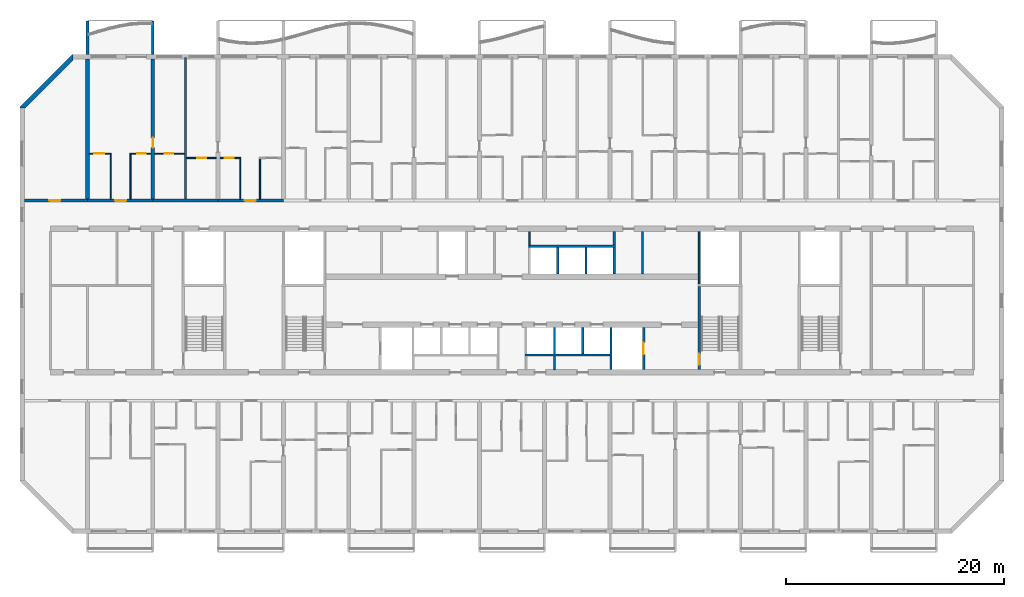
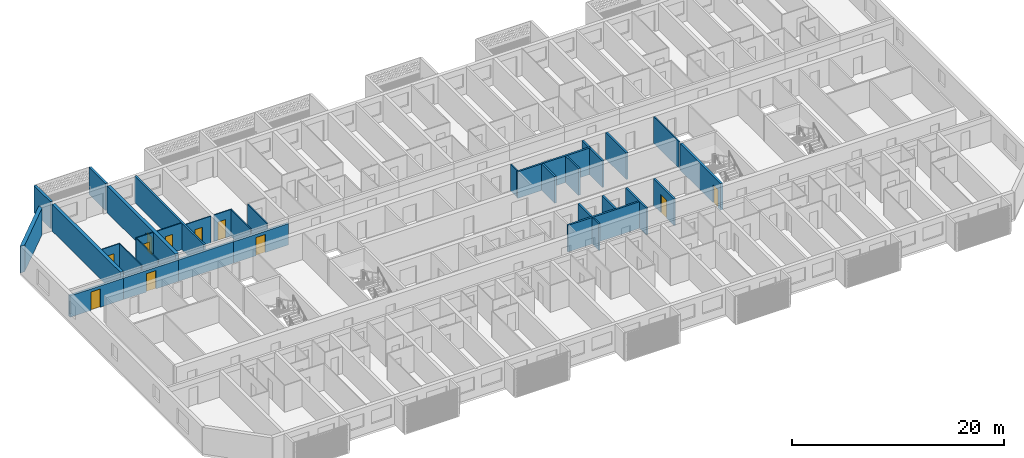
# One storey, part 9 of 25: 34 walls, 11 doors, 11 openings.
"""IFC4 building model written with IfcOpenShell, lengths in metres."""

from ifc_helpers import new_model, si_unit, direction, frame, frame_2d, origin, place, context, subcontext, project, spatial, polyline, rectangle, outline, extrude, source, transform, mapped, material, layer, layer_set, type_object, element, fill, save


model = new_model("IFC4")

# Units and contexts
model_context = context("Model", 3, precision=1e-05, world=origin(), true_north=direction((0.0, 1.0)))
body_context = subcontext(model_context, "Body", "Model", "MODEL_VIEW")
ifc_project = project(units=[si_unit("LENGTHUNIT", "METRE"), si_unit("AREAUNIT", "SQUARE_METRE"), si_unit("VOLUMEUNIT", "CUBIC_METRE"), si_unit("PLANEANGLEUNIT", "RADIAN"), si_unit("MASSUNIT", "GRAM", prefix="KILO")], contexts=[model_context])

# Site, building, storey
site_placement = place(None, origin())
site = spatial("IfcSite", under=ifc_project, at=site_placement, CompositionType="ELEMENT")
building_placement = place(site_placement, origin())
building = spatial("IfcBuilding", under=site, at=building_placement, Name="Poui Terraces", CompositionType="ELEMENT")
storey_placement = place(building_placement, frame((0.0, 0.0, 89.39990234375)))
storey = spatial("IfcBuildingStorey", under=building, at=storey_placement, Name="L24", CompositionType="ELEMENT", Elevation=89.39990234375)

# Wall
ifc_material_1 = material(Name="Fire-rated plasterboard wall")
ifc_layer_1 = layer(ifc_material_1, 0.14990234375)
ifc_layer_set_1 = layer_set([ifc_layer_1], Name="Fire-rated plasterboard wall")
wall_type_1 = type_object("IfcWallType", Name="CORRIDOR WALL 150", PredefinedType="PARTITIONING", material=ifc_layer_set_1)
wall_1_placement = place(storey_placement, frame((52.60009765625, 26.300048828125, 0.0), z_axis=(0.0, 0.0, 1.0), x_axis=(0.0, 1.0, 0.0)))
element("IfcWall", 1, at=wall_1_placement, inside=storey, type_object=wall_type_1, Name="CORRIDOR WALL 150", PredefinedType="PARTITIONING", context=body_context, shape_type="SweptSolid", body=[
    extrude(rectangle(XDim=1.239990234375, YDim=0.14990234375, at=frame_2d((0.6201171875, 0.0))), origin(), (0.0, 0.0, 1.0), 3.06005859375),
])

# Wall, opening, door
ifc_material_2 = material(Name="Concrete 65 MPa", Category="concrete")
ifc_layer_2 = layer(ifc_material_2, 0.25)
ifc_layer_set_2 = layer_set([ifc_layer_2], Name="Concrete 65 MPa")
wall_type_2 = type_object("IfcWallType", Name="CORRIDOR WALL 250 65MPa", PredefinedType="SHEAR", material=ifc_layer_set_2)
wall_2_placement = place(storey_placement, frame((6.199951171875, 30.39990234375, 0.0), z_axis=(0.0, 0.0, 1.0), x_axis=(1.0, 0.0, 0.0)))
wall_2 = element("IfcWall", 2, at=wall_2_placement, inside=storey, type_object=wall_type_2, Name="CORRIDOR WALL LINE E BAY 1", PredefinedType="SHEAR", context=body_context, shape_type="SweptSolid", body=[
    extrude(rectangle(XDim=5.800048828125, YDim=0.25, at=frame_2d((2.89990234375, 0.0))), origin(), (0.0, 0.0, 1.0), 2.460205078125),
])
opening_1_placement = place(wall_2_placement, frame((2.300048828125, 0.0, 0.0)))
opening_1 = element("IfcOpeningElement", 3, at=opening_1_placement, cuts=wall_2, Name="Opening D100", PredefinedType="OPENING", context=body_context, shape_type="SweptSolid", body=[
    extrude(rectangle(XDim=1.0, YDim=2.10009765625, at=frame_2d((0.5, 1.050048828125))), frame((0.0, 0.135009765625, 0.0), z_axis=(0.0, -1.0, 0.0), x_axis=(1.0, 0.0, 0.0)), (0.0, 0.0, 1.0), 0.27001953125),
])
ifc_material_3 = material(Name="Solid core timber door", Category="wood")
door_type_1 = type_object("IfcDoorType", Name="ACCESSIBLE INTERNAL DOOR 1000 X 2100", OperationType="NOTDEFINED", PredefinedType="DOOR", material=ifc_material_3)
door_1_placement = place(opening_1_placement, origin())
door_1 = element("IfcDoor", 4, at=door_1_placement, inside=storey, type_object=door_type_1, Name="ACCESSIBLE INTERNAL DOOR 032", OperationType="SINGLE_SWING_LEFT", OverallHeight=2.10009765625, OverallWidth=1.0, PredefinedType="DOOR", context=body_context, shape_type="SweptSolid", body=[
    extrude(rectangle(XDim=1.0, YDim=2.10009765625, at=frame_2d((0.5, 1.050048828125))), frame((0.0, 0.02490234375, 0.0), z_axis=(0.0, -1.0, 0.0), x_axis=(1.0, 0.0, 0.0)), (0.0, 0.0, 1.0), 0.050048828125),
])
fill(opening_1, door_1)

wall_3_placement = place(storey_placement, frame((12.0, 30.39990234375, 0.0), z_axis=(0.0, 0.0, 1.0), x_axis=(1.0, 0.0, 0.0)))
wall_3 = element("IfcWall", 5, at=wall_3_placement, inside=storey, type_object=wall_type_2, Name="CORRIDOR WALL LINE E BAY 2", PredefinedType="SHEAR", context=body_context, shape_type="SweptSolid", body=[
    extrude(rectangle(XDim=6.0, YDim=0.25, at=frame_2d((3.0, 0.0))), origin(), (0.0, 0.0, 1.0), 2.460205078125),
])
opening_2_placement = place(wall_3_placement, frame((2.550048828125, 0.0, 0.0)))
opening_2 = element("IfcOpeningElement", 6, at=opening_2_placement, cuts=wall_3, Name="Opening FD30S", PredefinedType="OPENING", context=body_context, shape_type="SweptSolid", body=[
    extrude(rectangle(XDim=1.0, YDim=2.10009765625, at=frame_2d((0.5, 1.050048828125))), frame((0.0, 0.135009765625, 0.0), z_axis=(0.0, -1.0, 0.0), x_axis=(1.0, 0.0, 0.0)), (0.0, 0.0, 1.0), 0.27001953125),
])
ifc_material_4 = material(Name="Steel fire door", Category="steel")
door_type_2 = type_object("IfcDoorType", Name="FLAT ENTRANCE DOOR 1000 X 2100", OperationType="NOTDEFINED", PredefinedType="DOOR", material=ifc_material_4)
door_2_placement = place(opening_2_placement, origin())
door_2 = element("IfcDoor", 7, at=door_2_placement, inside=storey, type_object=door_type_2, Name="FLAT ENTRANCE DOOR 035", OperationType="SINGLE_SWING_RIGHT", OverallHeight=2.10009765625, OverallWidth=1.0, PredefinedType="DOOR", context=body_context, shape_type="SweptSolid", body=[
    extrude(rectangle(XDim=1.0, YDim=2.10009765625, at=frame_2d((0.5, 1.050048828125))), frame((0.0, 0.02490234375, 0.0), z_axis=(0.0, -1.0, 0.0), x_axis=(1.0, 0.0, 0.0)), (0.0, 0.0, 1.0), 0.050048828125),
])
fill(opening_2, door_2)

# Wall
wall_4_placement = place(storey_placement, frame((18.0, 30.39990234375, 0.0), z_axis=(0.0, 0.0, 1.0), x_axis=(1.0, 0.0, 0.0)))
element("IfcWall", 8, at=wall_4_placement, inside=storey, type_object=wall_type_2, Name="CORRIDOR WALL LINE E BAY 3", PredefinedType="SHEAR", context=body_context, shape_type="SweptSolid", body=[
    extrude(rectangle(XDim=6.0, YDim=0.25, at=frame_2d((3.0, 0.0))), origin(), (0.0, 0.0, 1.0), 2.460205078125),
])

# Wall, opening, door
wall_5_placement = place(storey_placement, frame((24.0, 30.39990234375, 0.0), z_axis=(0.0, 0.0, 1.0), x_axis=(1.0, 0.0, 0.0)))
wall_5 = element("IfcWall", 9, at=wall_5_placement, inside=storey, type_object=wall_type_2, Name="CORRIDOR WALL LINE E BAY 4", PredefinedType="SHEAR", context=body_context, shape_type="SweptSolid", body=[
    extrude(rectangle(XDim=6.0, YDim=0.25, at=frame_2d((3.0, 0.0))), origin(), (0.0, 0.0, 1.0), 2.460205078125),
])
opening_3_placement = place(wall_5_placement, frame((2.449951171875, 0.0, 0.0)))
opening_3 = element("IfcOpeningElement", 10, at=opening_3_placement, cuts=wall_5, Name="Opening FD30S", PredefinedType="OPENING", context=body_context, shape_type="SweptSolid", body=[
    extrude(rectangle(XDim=1.0, YDim=2.10009765625, at=frame_2d((0.5, 1.050048828125))), frame((0.0, 0.135009765625, 0.0), z_axis=(0.0, -1.0, 0.0), x_axis=(1.0, 0.0, 0.0)), (0.0, 0.0, 1.0), 0.27001953125),
])
door_3_placement = place(opening_3_placement, origin())
door_3 = element("IfcDoor", 11, at=door_3_placement, inside=storey, type_object=door_type_2, Name="FLAT ENTRANCE DOOR 041", OperationType="SINGLE_SWING_LEFT", OverallHeight=2.10009765625, OverallWidth=1.0, PredefinedType="DOOR", context=body_context, shape_type="SweptSolid", body=[
    extrude(rectangle(XDim=1.0, YDim=2.10009765625, at=frame_2d((0.5, 1.050048828125))), frame((0.0, 0.02490234375, 0.0), z_axis=(0.0, -1.0, 0.0), x_axis=(1.0, 0.0, 0.0)), (0.0, 0.0, 1.0), 0.050048828125),
])
fill(opening_3, door_3)

# Wall
ifc_layer_3 = layer(ifc_material_2, 0.35009765625)
ifc_layer_set_3 = layer_set([ifc_layer_3], Name="Concrete 65 MPa")
wall_type_3 = type_object("IfcWallType", Name="CROSS WALL 350 65MPa", PredefinedType="SHEAR", material=ifc_layer_set_3)
wall_6_placement = place(storey_placement, frame((12.0, 30.52490234375, 0.0), z_axis=(0.0, 0.0, 1.0), x_axis=(0.0, 1.0, 0.0)))
element("IfcWall", 12, at=wall_6_placement, inside=storey, type_object=wall_type_3, Name="CROSS WALL LINE 3 NORTH", PredefinedType="SHEAR", context=body_context, shape_type="SweptSolid", body=[
    extrude(rectangle(XDim=12.875, YDim=0.35009765625, at=frame_2d((6.4375, 0.0))), origin(), (0.0, 0.0, 1.0), 3.06005859375),
])

# Wall, opening, door
wall_7_placement = place(storey_placement, frame((18.0, 30.52490234375, 0.0), z_axis=(0.0, 0.0, 1.0), x_axis=(0.0, 1.0, 0.0)))
wall_7 = element("IfcWall", 13, at=wall_7_placement, inside=storey, type_object=wall_type_3, Name="CROSS WALL LINE 4 NORTH", PredefinedType="SHEAR", context=body_context, shape_type="SweptSolid", body=[
    extrude(rectangle(XDim=12.875, YDim=0.35009765625, at=frame_2d((6.4375, 0.0))), origin(), (0.0, 0.0, 1.0), 3.06005859375),
])
opening_4_placement = place(wall_7_placement, frame((4.72509765625, 0.0, 0.0)))
opening_4 = element("IfcOpeningElement", 14, at=opening_4_placement, cuts=wall_7, Name="Opening D90", PredefinedType="OPENING", context=body_context, shape_type="SweptSolid", body=[
    extrude(rectangle(XDim=0.89990234375, YDim=2.10009765625, at=frame_2d((0.449951171875, 1.050048828125))), frame((0.0, 0.18505859375, 0.0), z_axis=(0.0, -1.0, 0.0), x_axis=(1.0, 0.0, 0.0)), (0.0, 0.0, 1.0), 0.3701171875),
])
door_type_3 = type_object("IfcDoorType", Name="INTERNAL DOOR 900 X 2100", OperationType="NOTDEFINED", PredefinedType="DOOR", material=ifc_material_3)
door_4_placement = place(opening_4_placement, frame((0.89990234375, 0.0, 0.0), z_axis=(0.0, 0.0, 1.0), x_axis=(-1.0, 0.0, 0.0)))
door_4 = element("IfcDoor", 15, at=door_4_placement, inside=storey, type_object=door_type_3, Name="INTERNAL DOOR 037", OperationType="SINGLE_SWING_RIGHT", OverallHeight=2.10009765625, OverallWidth=0.89990234375, PredefinedType="DOOR", context=body_context, shape_type="SweptSolid", body=[
    extrude(rectangle(XDim=0.89990234375, YDim=2.10009765625, at=frame_2d((0.449951171875, 1.050048828125))), frame((0.0, 0.02490234375, 0.0), z_axis=(0.0, -1.0, 0.0), x_axis=(1.0, 0.0, 0.0)), (0.0, 0.0, 1.0), 0.050048828125),
])
fill(opening_4, door_4)

ifc_material_5 = material(Name="Plasterboard partition")
ifc_layer_4 = layer(ifc_material_5, 0.10009765625)
ifc_layer_set_4 = layer_set([ifc_layer_4], Name="Plasterboard partition")
wall_type_4 = type_object("IfcWallType", Name="FLAT PARTITION 100", PredefinedType="PARTITIONING", material=ifc_layer_set_4)
wall_8_placement = place(storey_placement, frame((21.10009765625, 34.300048828125, 0.0), z_axis=(0.0, 0.0, 1.0), x_axis=(1.0, 0.0, 0.0)))
wall_8 = element("IfcWall", 16, at=wall_8_placement, inside=storey, type_object=wall_type_4, Name="FLAT PARTITION 100", PredefinedType="PARTITIONING", context=body_context, shape_type="SweptSolid", body=[
    extrude(rectangle(XDim=2.71484375, YDim=0.10009765625, at=frame_2d((1.357421875, 0.0))), origin(), (0.0, 0.0, 1.0), 3.06005859375),
])
opening_5_placement = place(wall_8_placement, frame((1.0, 0.0, 0.0)))
opening_5 = element("IfcOpeningElement", 17, at=opening_5_placement, cuts=wall_8, Name="Opening D80", PredefinedType="OPENING", context=body_context, shape_type="SweptSolid", body=[
    extrude(rectangle(XDim=0.800048828125, YDim=2.10009765625, at=frame_2d((0.39990234375, 1.050048828125))), frame((0.0, 0.06005859375, 0.0), z_axis=(0.0, -1.0, 0.0), x_axis=(1.0, 0.0, 0.0)), (0.0, 0.0, 1.0), 0.1201171875),
])
door_type_4 = type_object("IfcDoorType", Name="BATHROOM, LAUNDRY AND STORE DOOR 800 X 2100", OperationType="NOTDEFINED", PredefinedType="DOOR", material=ifc_material_3)
door_5_placement = place(opening_5_placement, frame((0.800048828125, 0.0, 0.0), z_axis=(0.0, 0.0, 1.0), x_axis=(-1.0, 0.0, 0.0)))
door_5 = element("IfcDoor", 18, at=door_5_placement, inside=storey, type_object=door_type_4, Name="BATHROOM, LAUNDRY AND STORE DOOR 038", OperationType="SINGLE_SWING_RIGHT", OverallHeight=2.10009765625, OverallWidth=0.800048828125, PredefinedType="DOOR", context=body_context, shape_type="SweptSolid", body=[
    extrude(rectangle(XDim=0.800048828125, YDim=2.10009765625, at=frame_2d((0.39990234375, 1.050048828125))), frame((0.0, 0.02490234375, 0.0), z_axis=(0.0, -1.0, 0.0), x_axis=(1.0, 0.0, 0.0)), (0.0, 0.0, 1.0), 0.050048828125),
])
fill(opening_5, door_5)

wall_9_placement = place(storey_placement, frame((24.18505859375, 34.300048828125, 0.0), z_axis=(0.0, 0.0, 1.0), x_axis=(1.0, 0.0, 0.0)))
wall_9 = element("IfcWall", 19, at=wall_9_placement, inside=storey, type_object=wall_type_4, Name="FLAT PARTITION 100", PredefinedType="PARTITIONING", context=body_context, shape_type="SweptSolid", body=[
    extrude(rectangle(XDim=1.9150390625, YDim=0.10009765625, at=frame_2d((0.95751953125, 0.0))), origin(), (0.0, 0.0, 1.0), 3.06005859375),
])
opening_6_placement = place(wall_9_placement, frame((0.43994140625, 0.0, 0.0)))
opening_6 = element("IfcOpeningElement", 20, at=opening_6_placement, cuts=wall_9, Name="Opening D80", PredefinedType="OPENING", context=body_context, shape_type="SweptSolid", body=[
    extrude(rectangle(XDim=0.800048828125, YDim=2.10009765625, at=frame_2d((0.39990234375, 1.050048828125))), frame((0.0, 0.06005859375, 0.0), z_axis=(0.0, -1.0, 0.0), x_axis=(1.0, 0.0, 0.0)), (0.0, 0.0, 1.0), 0.1201171875),
])
door_6_placement = place(opening_6_placement, frame((0.800048828125, 0.0, 0.0), z_axis=(0.0, 0.0, 1.0), x_axis=(-1.0, 0.0, 0.0)))
door_6 = element("IfcDoor", 21, at=door_6_placement, inside=storey, type_object=door_type_4, Name="BATHROOM, LAUNDRY AND STORE DOOR 040", OperationType="SINGLE_SWING_LEFT", OverallHeight=2.10009765625, OverallWidth=0.800048828125, PredefinedType="DOOR", context=body_context, shape_type="SweptSolid", body=[
    extrude(rectangle(XDim=0.800048828125, YDim=2.10009765625, at=frame_2d((0.39990234375, 1.050048828125))), frame((0.0, 0.02490234375, 0.0), z_axis=(0.0, -1.0, 0.0), x_axis=(1.0, 0.0, 0.0)), (0.0, 0.0, 1.0), 0.050048828125),
])
fill(opening_6, door_6)

wall_10_placement = place(storey_placement, frame((12.18505859375, 34.699951171875, 0.0), z_axis=(0.0, 0.0, 1.0), x_axis=(1.0, 0.0, 0.0)))
wall_10 = element("IfcWall", 22, at=wall_10_placement, inside=storey, type_object=wall_type_4, Name="FLAT PARTITION 100", PredefinedType="PARTITIONING", context=body_context, shape_type="SweptSolid", body=[
    extrude(rectangle(XDim=2.014892578125, YDim=0.10009765625, at=frame_2d((1.00732421875, 0.0))), origin(), (0.0, 0.0, 1.0), 3.06005859375),
])
opening_7_placement = place(wall_10_placement, frame((0.43994140625, 0.0, 0.0)))
opening_7 = element("IfcOpeningElement", 23, at=opening_7_placement, cuts=wall_10, Name="Opening D90", PredefinedType="OPENING", context=body_context, shape_type="SweptSolid", body=[
    extrude(rectangle(XDim=0.89990234375, YDim=2.10009765625, at=frame_2d((0.449951171875, 1.050048828125))), frame((0.0, 0.06005859375, 0.0), z_axis=(0.0, -1.0, 0.0), x_axis=(1.0, 0.0, 0.0)), (0.0, 0.0, 1.0), 0.1201171875),
])
door_7_placement = place(opening_7_placement, frame((0.89990234375, 0.0, 0.0), z_axis=(0.0, 0.0, 1.0), x_axis=(-1.0, 0.0, 0.0)))
door_7 = element("IfcDoor", 24, at=door_7_placement, inside=storey, type_object=door_type_3, Name="INTERNAL DOOR 034", OperationType="SINGLE_SWING_RIGHT", OverallHeight=2.10009765625, OverallWidth=0.89990234375, PredefinedType="DOOR", context=body_context, shape_type="SweptSolid", body=[
    extrude(rectangle(XDim=0.89990234375, YDim=2.10009765625, at=frame_2d((0.449951171875, 1.050048828125))), frame((0.0, 0.02490234375, 0.0), z_axis=(0.0, -1.0, 0.0), x_axis=(1.0, 0.0, 0.0)), (0.0, 0.0, 1.0), 0.050048828125),
])
fill(opening_7, door_7)

wall_11_placement = place(storey_placement, frame((15.89990234375, 34.699951171875, 0.0), z_axis=(0.0, 0.0, 1.0), x_axis=(1.0, 0.0, 0.0)))
wall_11 = element("IfcWall", 25, at=wall_11_placement, inside=storey, type_object=wall_type_4, Name="FLAT PARTITION 100", PredefinedType="PARTITIONING", context=body_context, shape_type="SweptSolid", body=[
    extrude(rectangle(XDim=1.9150390625, YDim=0.10009765625, at=frame_2d((0.95751953125, 0.0))), origin(), (0.0, 0.0, 1.0), 3.06005859375),
])
opening_8_placement = place(wall_11_placement, frame((0.675048828125, 0.0, 0.0)))
opening_8 = element("IfcOpeningElement", 26, at=opening_8_placement, cuts=wall_11, Name="Opening D80", PredefinedType="OPENING", context=body_context, shape_type="SweptSolid", body=[
    extrude(rectangle(XDim=0.800048828125, YDim=2.10009765625, at=frame_2d((0.39990234375, 1.050048828125))), frame((0.0, 0.06005859375, 0.0), z_axis=(0.0, -1.0, 0.0), x_axis=(1.0, 0.0, 0.0)), (0.0, 0.0, 1.0), 0.1201171875),
])
door_8_placement = place(opening_8_placement, frame((0.800048828125, 0.0, 0.0), z_axis=(0.0, 0.0, 1.0), x_axis=(-1.0, 0.0, 0.0)))
door_8 = element("IfcDoor", 27, at=door_8_placement, inside=storey, type_object=door_type_4, Name="BATHROOM, LAUNDRY AND STORE DOOR 036", OperationType="SINGLE_SWING_LEFT", OverallHeight=2.10009765625, OverallWidth=0.800048828125, PredefinedType="DOOR", context=body_context, shape_type="SweptSolid", body=[
    extrude(rectangle(XDim=0.800048828125, YDim=2.10009765625, at=frame_2d((0.39990234375, 1.050048828125))), frame((0.0, 0.02490234375, 0.0), z_axis=(0.0, -1.0, 0.0), x_axis=(1.0, 0.0, 0.0)), (0.0, 0.0, 1.0), 0.050048828125),
])
fill(opening_8, door_8)

wall_12_placement = place(storey_placement, frame((18.18505859375, 34.699951171875, 0.0), z_axis=(0.0, 0.0, 1.0), x_axis=(1.0, 0.0, 0.0)))
wall_12 = element("IfcWall", 28, at=wall_12_placement, inside=storey, type_object=wall_type_4, Name="FLAT PARTITION 100", PredefinedType="PARTITIONING", context=body_context, shape_type="SweptSolid", body=[
    extrude(rectangle(XDim=2.71484375, YDim=0.10009765625, at=frame_2d((1.357421875, 0.0))), origin(), (0.0, 0.0, 1.0), 3.06005859375),
])
opening_9_placement = place(wall_12_placement, frame((0.9150390625, 0.0, 0.0)))
opening_9 = element("IfcOpeningElement", 29, at=opening_9_placement, cuts=wall_12, Name="Opening D80", PredefinedType="OPENING", context=body_context, shape_type="SweptSolid", body=[
    extrude(rectangle(XDim=0.800048828125, YDim=2.10009765625, at=frame_2d((0.39990234375, 1.050048828125))), frame((0.0, 0.06005859375, 0.0), z_axis=(0.0, -1.0, 0.0), x_axis=(1.0, 0.0, 0.0)), (0.0, 0.0, 1.0), 0.1201171875),
])
door_9_placement = place(opening_9_placement, frame((0.800048828125, 0.0, 0.0), z_axis=(0.0, 0.0, 1.0), x_axis=(-1.0, 0.0, 0.0)))
door_9 = element("IfcDoor", 30, at=door_9_placement, inside=storey, type_object=door_type_4, Name="BATHROOM, LAUNDRY AND STORE DOOR 033", OperationType="SINGLE_SWING_LEFT", OverallHeight=2.10009765625, OverallWidth=0.800048828125, PredefinedType="DOOR", context=body_context, shape_type="SweptSolid", body=[
    extrude(rectangle(XDim=0.800048828125, YDim=2.10009765625, at=frame_2d((0.39990234375, 1.050048828125))), frame((0.0, 0.02490234375, 0.0), z_axis=(0.0, -1.0, 0.0), x_axis=(1.0, 0.0, 0.0)), (0.0, 0.0, 1.0), 0.050048828125),
])
fill(opening_9, door_9)

# Walls
for number, where, z_axis, x_axis, name in (
    (31, (14.14990234375, 30.534912109375, 0.0), (0.0, 0.0, 1.0), (0.0, 1.0, 0.0), "FLAT PARTITION 100"),
    (32, (15.949951171875, 30.534912109375, 0.0), (0.0, 0.0, 1.0), (0.0, 1.0, 0.0), "FLAT PARTITION 100"),
):
    element("IfcWall", number, at=place(storey_placement, frame(where, z_axis=z_axis, x_axis=x_axis)), inside=storey, type_object=wall_type_4, Name=name, PredefinedType="PARTITIONING", context=body_context, shape_type="SweptSolid", body=[
        extrude(rectangle(XDim=4.114990234375, YDim=0.10009765625, at=frame_2d((2.0576171875, 0.0))), origin(), (0.0, 0.0, 1.0), 3.06005859375),
    ])
for number, where, z_axis, x_axis, name in (
    (33, (26.050048828125, 30.534912109375, 0.0), (0.0, 0.0, 1.0), (0.0, 1.0, 0.0), "FLAT PARTITION 100"),
    (34, (27.85009765625, 30.534912109375, 0.0), (0.0, 0.0, 1.0), (0.0, 1.0, 0.0), "FLAT PARTITION 100"),
):
    element("IfcWall", number, at=place(storey_placement, frame(where, z_axis=z_axis, x_axis=x_axis)), inside=storey, type_object=wall_type_4, Name=name, PredefinedType="PARTITIONING", context=body_context, shape_type="SweptSolid", body=[
        extrude(rectangle(XDim=3.715087890625, YDim=0.10009765625, at=frame_2d((1.857421875, 0.0))), origin(), (0.0, 0.0, 1.0), 3.06005859375),
    ])
ifc_material_6 = material(Name="Fire-rated masonry wall", Category="masonry")
ifc_layer_5 = layer(ifc_material_6, 0.199951171875)
ifc_layer_set_5 = layer_set([ifc_layer_5], Name="Fire-rated masonry wall")
wall_type_5 = type_object("IfcWallType", Name="FLAT PARTY WALL 200", PredefinedType="PARTITIONING", material=ifc_layer_set_5)
wall_13_placement = place(storey_placement, frame((21.0, 30.534912109375, 0.0), z_axis=(0.0, 0.0, 1.0), x_axis=(0.0, 1.0, 0.0)))
element("IfcWall", 35, at=wall_13_placement, inside=storey, type_object=wall_type_5, Name="FLAT PARTY WALL 200", PredefinedType="PARTITIONING", context=body_context, shape_type="SweptSolid", body=[
    extrude(rectangle(XDim=13.005126953125, YDim=0.199951171875, at=frame_2d((6.50244140625, 0.0))), origin(), (0.0, 0.0, 1.0), 3.06005859375),
])
ifc_layer_6 = layer(ifc_material_5, 0.14990234375)
ifc_layer_set_6 = layer_set([ifc_layer_6], Name="Plasterboard partition")
wall_type_6 = type_object("IfcWallType", Name="PARTITION WALL 150", PredefinedType="PARTITIONING", material=ifc_layer_set_6)
wall_14_placement = place(storey_placement, frame((54.89990234375, 14.860107421875, 0.0), z_axis=(0.0, 0.0, 1.0), x_axis=(0.0, 1.0, 0.0)))
element("IfcWall", 36, at=wall_14_placement, inside=storey, type_object=wall_type_6, Name="PARTITION WALL 150", PredefinedType="PARTITIONING", context=body_context, shape_type="SweptSolid", body=[
    extrude(rectangle(XDim=1.239990234375, YDim=0.14990234375, at=frame_2d((0.6201171875, 0.0))), origin(), (0.0, 0.0, 1.0), 3.06005859375),
])
ifc_layer_7 = layer(ifc_material_6, 0.199951171875)
ifc_layer_set_7 = layer_set([ifc_layer_7], Name="Fire-rated masonry wall")
wall_type_7 = type_object("IfcWallType", Name="PLANT ROOM WALL 200", PredefinedType="PARTITIONING", material=ifc_layer_set_7)
wall_15_placement = place(storey_placement, frame((60.39990234375, 26.300048828125, 0.0), z_axis=(0.0, 0.0, 1.0), x_axis=(0.0, 1.0, 0.0)))
element("IfcWall", 37, at=wall_15_placement, inside=storey, type_object=wall_type_7, Name="PLANT ROOM WALL 200", PredefinedType="PARTITIONING", context=body_context, shape_type="SweptSolid", body=[
    extrude(rectangle(XDim=1.239990234375, YDim=0.199951171875, at=frame_2d((0.6201171875, 0.0))), origin(), (0.0, 0.0, 1.0), 3.06005859375),
])
wall_16_placement = place(storey_placement, frame((63.0, 23.659912109375, 0.0), z_axis=(0.0, 0.0, 1.0), x_axis=(0.0, 1.0, 0.0)))
element("IfcWall", 38, at=wall_16_placement, inside=storey, type_object=wall_type_7, Name="PLANT ROOM WALL 200", PredefinedType="PARTITIONING", context=body_context, shape_type="SweptSolid", body=[
    extrude(rectangle(XDim=3.880126953125, YDim=0.199951171875, at=frame_2d((1.93994140625, 0.0))), origin(), (0.0, 0.0, 1.0), 3.06005859375),
])
ifc_material_7 = material(Name="Fire-rated plasterboard riser wall")
ifc_layer_8 = layer(ifc_material_7, 0.14990234375)
ifc_layer_set_8 = layer_set([ifc_layer_8], Name="Fire-rated plasterboard riser wall")
wall_type_8 = type_object("IfcWallType", Name="RISER WALL 150", PredefinedType="PARTITIONING", material=ifc_layer_set_8)
wall_17_placement = place(storey_placement, frame((68.199951171875, 22.735107421875, 0.0), z_axis=(0.0, 0.0, 1.0), x_axis=(0.0, 1.0, 0.0)))
element("IfcWall", 39, at=wall_17_placement, inside=storey, type_object=wall_type_8, Name="RISER WALL 150", PredefinedType="PARTITIONING", context=body_context, shape_type="SweptSolid", body=[
    extrude(rectangle(XDim=4.804931640625, YDim=0.14990234375, at=frame_2d((2.40234375, 0.0))), origin(), (0.0, 0.0, 1.0), 3.06005859375),
])
ifc_material_8 = material(Name="Fire-rated masonry shaft wall", Category="masonry")
ifc_layer_9 = layer(ifc_material_8, 0.199951171875)
ifc_layer_set_9 = layer_set([ifc_layer_9], Name="Fire-rated masonry shaft wall")
wall_type_9 = type_object("IfcWallType", Name="SHAFT WALL 200", PredefinedType="PARTITIONING", material=ifc_layer_set_9)
wall_18_placement = place(storey_placement, frame((52.199951171875, 16.199951171875, 0.0), z_axis=(0.0, 0.0, 1.0), x_axis=(1.0, 0.0, 0.0)))
element("IfcWall", 40, at=wall_18_placement, inside=storey, type_object=wall_type_9, Name="SHAFT WALL 200", PredefinedType="PARTITIONING", context=body_context, shape_type="SweptSolid", body=[
    extrude(rectangle(XDim=7.800048828125, YDim=0.199951171875, at=frame_2d((3.89990234375, 0.0))), origin(), (0.0, 0.0, 1.0), 3.06005859375),
])
wall_19_placement = place(storey_placement, frame((52.5, 26.199951171875, 0.0), z_axis=(0.0, 0.0, 1.0), x_axis=(1.0, 0.0, 0.0)))
element("IfcWall", 41, at=wall_19_placement, inside=storey, type_object=wall_type_9, Name="SHAFT WALL 200", PredefinedType="PARTITIONING", context=body_context, shape_type="SweptSolid", body=[
    extrude(rectangle(XDim=8.0, YDim=0.199951171875, at=frame_2d((4.0, 0.0))), origin(), (0.0, 0.0, 1.0), 3.06005859375),
])
wall_20_placement = place(storey_placement, frame((54.89990234375, 16.300048828125, 0.0), z_axis=(0.0, 0.0, 1.0), x_axis=(0.0, 1.0, 0.0)))
element("IfcWall", 42, at=wall_20_placement, inside=storey, type_object=wall_type_9, Name="SHAFT WALL 200", PredefinedType="PARTITIONING", context=body_context, shape_type="SweptSolid", body=[
    extrude(rectangle(XDim=2.43994140625, YDim=0.199951171875, at=frame_2d((1.219970703125, 0.0))), origin(), (0.0, 0.0, 1.0), 3.06005859375),
])
wall_21_placement = place(storey_placement, frame((55.199951171875, 23.659912109375, 0.0), z_axis=(0.0, 0.0, 1.0), x_axis=(0.0, 1.0, 0.0)))
element("IfcWall", 43, at=wall_21_placement, inside=storey, type_object=wall_type_9, Name="SHAFT WALL 200", PredefinedType="PARTITIONING", context=body_context, shape_type="SweptSolid", body=[
    extrude(rectangle(XDim=2.440185546875, YDim=0.199951171875, at=frame_2d((1.22021484375, 0.0))), origin(), (0.0, 0.0, 1.0), 3.06005859375),
])
wall_22_placement = place(storey_placement, frame((57.5, 16.300048828125, 0.0), z_axis=(0.0, 0.0, 1.0), x_axis=(0.0, 1.0, 0.0)))
element("IfcWall", 44, at=wall_22_placement, inside=storey, type_object=wall_type_9, Name="SHAFT WALL 200", PredefinedType="PARTITIONING", context=body_context, shape_type="SweptSolid", body=[
    extrude(rectangle(XDim=2.43994140625, YDim=0.199951171875, at=frame_2d((1.219970703125, 0.0))), origin(), (0.0, 0.0, 1.0), 3.06005859375),
])
wall_23_placement = place(storey_placement, frame((57.800048828125, 23.659912109375, 0.0), z_axis=(0.0, 0.0, 1.0), x_axis=(0.0, 1.0, 0.0)))
element("IfcWall", 45, at=wall_23_placement, inside=storey, type_object=wall_type_9, Name="SHAFT WALL 200", PredefinedType="PARTITIONING", context=body_context, shape_type="SweptSolid", body=[
    extrude(rectangle(XDim=2.440185546875, YDim=0.199951171875, at=frame_2d((1.22021484375, 0.0))), origin(), (0.0, 0.0, 1.0), 3.06005859375),
])
wall_24_placement = place(storey_placement, frame((60.10009765625, 14.860107421875, 0.0), z_axis=(0.0, 0.0, 1.0), x_axis=(0.0, 1.0, 0.0)))
element("IfcWall", 46, at=wall_24_placement, inside=storey, type_object=wall_type_9, Name="SHAFT WALL 200", PredefinedType="PARTITIONING", context=body_context, shape_type="SweptSolid", body=[
    extrude(rectangle(XDim=3.8798828125, YDim=0.199951171875, at=frame_2d((1.93994140625, 0.0))), origin(), (0.0, 0.0, 1.0), 3.06005859375),
])
wall_25_placement = place(storey_placement, frame((60.39990234375, 23.659912109375, 0.0), z_axis=(0.0, 0.0, 1.0), x_axis=(0.0, 1.0, 0.0)))
element("IfcWall", 47, at=wall_25_placement, inside=storey, type_object=wall_type_9, Name="SHAFT WALL 200", PredefinedType="PARTITIONING", context=body_context, shape_type="SweptSolid", body=[
    extrude(rectangle(XDim=2.440185546875, YDim=0.199951171875, at=frame_2d((1.22021484375, 0.0))), origin(), (0.0, 0.0, 1.0), 3.06005859375),
])

# Wall, opening, door
wall_26_placement = place(storey_placement, frame((63.10009765625, 14.860107421875, 0.0), z_axis=(0.0, 0.0, 1.0), x_axis=(0.0, 1.0, 0.0)))
wall_26 = element("IfcWall", 48, at=wall_26_placement, inside=storey, type_object=wall_type_9, Name="SHAFT WALL 200", PredefinedType="PARTITIONING", context=body_context, shape_type="SweptSolid", body=[
    extrude(rectangle(XDim=3.8798828125, YDim=0.199951171875, at=frame_2d((1.93994140625, 0.0))), origin(), (0.0, 0.0, 1.0), 3.06005859375),
])
opening_10_placement = place(wall_26_placement, frame((1.389892578125, 0.0, 0.0)))
opening_10 = element("IfcOpeningElement", 49, at=opening_10_placement, cuts=wall_26, Name="Opening LD", PredefinedType="OPENING", context=body_context, shape_type="SweptSolid", body=[
    extrude(rectangle(XDim=1.10009765625, YDim=2.10009765625, at=frame_2d((0.550048828125, 1.050048828125))), frame((0.0, 0.10986328125, 0.0), z_axis=(0.0, -1.0, 0.0), x_axis=(1.0, 0.0, 0.0)), (0.0, 0.0, 1.0), 0.219970703125),
])
ifc_material_9 = material(Name="Stainless steel sliding door", Category="steel")
door_type_5 = type_object("IfcDoorType", Name="LIFT LANDING DOOR 1100 X 2100", OperationType="DOUBLE_DOOR_SLIDING", PredefinedType="DOOR", material=ifc_material_9)
door_10_placement = place(opening_10_placement, origin())
door_10 = element("IfcDoor", 50, at=door_10_placement, inside=storey, type_object=door_type_5, Name="LANDING DOOR", OperationType="DOUBLE_DOOR_SLIDING", OverallHeight=2.10009765625, OverallWidth=1.10009765625, PredefinedType="DOOR", context=body_context, shape_type="SweptSolid", body=[
    extrude(rectangle(XDim=1.10009765625, YDim=2.10009765625, at=frame_2d((0.550048828125, 1.050048828125))), frame((0.0, 0.02490234375, 0.0), z_axis=(0.0, -1.0, 0.0), x_axis=(1.0, 0.0, 0.0)), (0.0, 0.0, 1.0), 0.050048828125),
])
fill(opening_10, door_10)

ifc_layer_10 = layer(ifc_material_2, 0.25)
ifc_layer_set_10 = layer_set([ifc_layer_10], Name="Concrete 65 MPa")
wall_type_10 = type_object("IfcWallType", Name="STAIR CORE WALL 250 65 MPA", PredefinedType="SOLIDWALL", material=ifc_layer_set_10)
wall_27_placement = place(storey_placement, frame((68.199951171875, 14.85009765625, 0.0), z_axis=(0.0, 0.0, 1.0), x_axis=(0.0, 1.0, 0.0)))
wall_27 = element("IfcWall", 51, at=wall_27_placement, inside=storey, type_object=wall_type_10, Name="STAIR CORE WALL", PredefinedType="SOLIDWALL", context=body_context, shape_type="SweptSolid", body=[
    extrude(rectangle(XDim=7.625, YDim=0.25, at=frame_2d((3.8125, 0.0))), origin(), (0.0, 0.0, 1.0), 3.06005859375),
])
opening_11_placement = place(wall_27_placement, frame((0.449951171875, 0.0, 0.0)))
opening_11 = element("IfcOpeningElement", 52, at=opening_11_placement, cuts=wall_27, Name="Opening FD60S", PredefinedType="OPENING", context=body_context, shape_type="SweptSolid", body=[
    extrude(rectangle(XDim=1.0, YDim=2.10009765625, at=frame_2d((0.5, 1.050048828125))), frame((0.0, 0.135009765625, 0.0), z_axis=(0.0, -1.0, 0.0), x_axis=(1.0, 0.0, 0.0)), (0.0, 0.0, 1.0), 0.27001953125),
])
door_type_6 = type_object("IfcDoorType", Name="STAIR DOOR 1000 X 2100", OperationType="NOTDEFINED", PredefinedType="DOOR", material=ifc_material_4)
door_11_placement = place(opening_11_placement, frame((1.0, 0.0, 0.0), z_axis=(0.0, 0.0, 1.0), x_axis=(-1.0, 0.0, 0.0)))
door_11 = element("IfcDoor", 53, at=door_11_placement, inside=storey, type_object=door_type_6, Name="STAIR DOOR 137", OperationType="SINGLE_SWING_LEFT", OverallHeight=2.10009765625, OverallWidth=1.0, PredefinedType="DOOR", context=body_context, shape_type="SweptSolid", body=[
    extrude(rectangle(XDim=1.0, YDim=2.10009765625, at=frame_2d((0.5, 1.050048828125))), frame((0.0, 0.02490234375, 0.0), z_axis=(0.0, -1.0, 0.0), x_axis=(1.0, 0.0, 0.0)), (0.0, 0.0, 1.0), 0.050048828125),
])
fill(opening_11, door_11)

# Walls
ifc_material_10 = material(Name="Precast concrete 40 MPa", Category="concrete")
ifc_layer_11 = layer(ifc_material_10, 0.39990234375)
ifc_layer_set_11 = layer_set([ifc_layer_11], Name="Precast concrete 40 MPa")
wall_type_11 = type_object("IfcWallType", Name="TERRACOTTA CLAD CHAMFER WALL 400", PredefinedType="STANDARD", material=ifc_layer_set_11)
wall_28_placement = place(storey_placement, origin())
element("IfcWall", 54, at=wall_28_placement, inside=storey, type_object=wall_type_11, Name="CHAMFER WALL CH05", PredefinedType="STANDARD", context=body_context, shape_type="SweptSolid", body=[
    extrude(outline(polyline([(10.682861328125, 43.800048828125), (10.60009765625, 43.800048828125), (5.800048828125, 39.0), (5.800048828125, 38.917236328125), (6.28271484375, 38.917236328125), (10.682861328125, 43.317138671875), (10.682861328125, 43.800048828125)])), origin(), (0.0, 0.0, 1.0), 3.06005859375),
])
ifc_layer_12 = layer(ifc_material_10, 0.25)
ifc_layer_set_12 = layer_set([ifc_layer_12], Name="Precast concrete 40 MPa")
wall_type_12 = type_object("IfcWallType", Name="BALCONY FIN 250", PredefinedType="STANDARD", material=ifc_layer_set_12)
shared_shape = source(origin(), body_context, "Body", "SweptSolid", [
    extrude(outline(polyline([(0.0, 0.0), (0.25, 0.0), (0.25, 3.099853515625), (0.0, 3.099853515625), (0.0, 0.0)])), origin(), (0.0, 0.0, 1.0), 3.10009765625),
])
for number, where, name in (
    (55, (11.875, 43.800048828125, 0.0), "BALCONY FIN"),
    (56, (17.875, 43.800048828125, 0.0), "BALCONY FIN"),
):
    element("IfcWall", number, at=place(storey_placement, frame(where)), inside=storey, type_object=wall_type_12, Name=name, PredefinedType="STANDARD", context=body_context, shape_type="MappedRepresentation", body=[
        mapped(shared_shape, transform((0.0, 0.0, 0.0))),
    ])

save(model, "model.ifc")
